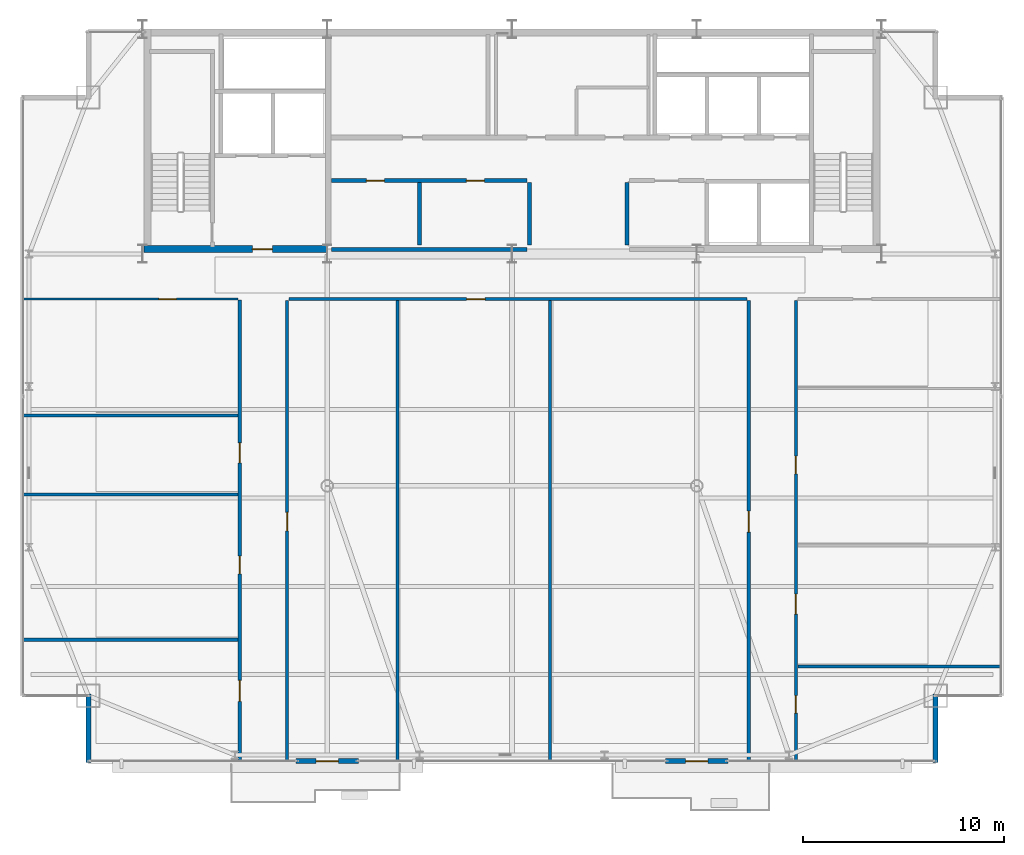
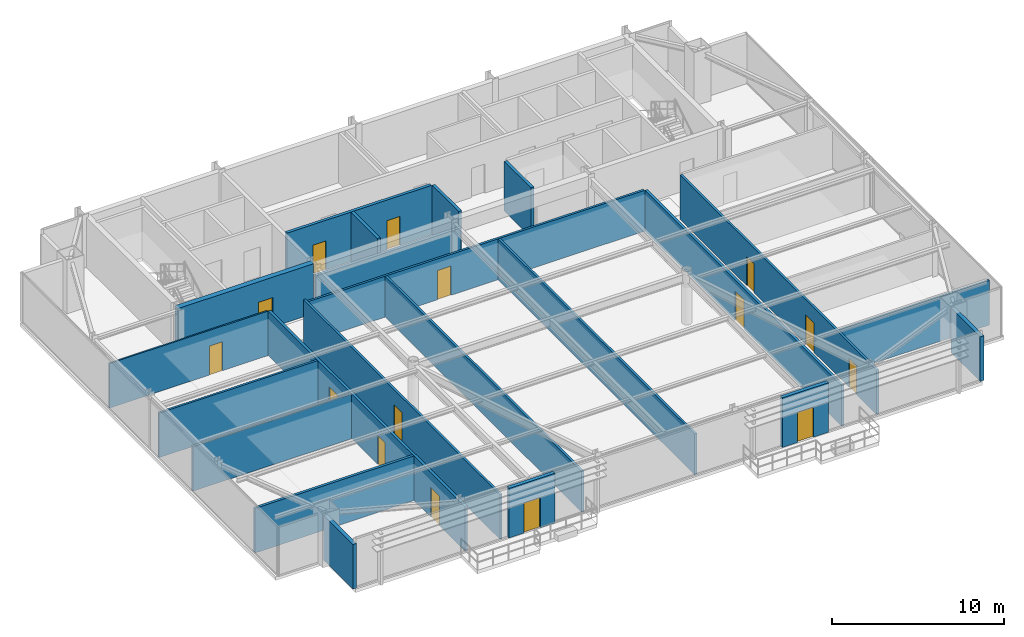
# One storey, part 26 of 30: 22 walls, 15 doors, 15 openings.
"""IFC4 building model written with IfcOpenShell, lengths in metres."""

from ifc_helpers import new_model, si_unit, direction, frame, frame_2d, origin, place, context, subcontext, project, spatial, rectangle, extrude, source, transform, mapped, material, layer, layer_set, type_object, type_shapes, element, fill, save


model = new_model("IFC4")

# Units and contexts
model_context = context("Model", 3, precision=1e-05, world=origin(), true_north=direction((0.0, 1.0)))
body_context = subcontext(model_context, "Body", "Model", "MODEL_VIEW")
ifc_project = project(units=[si_unit("LENGTHUNIT", "METRE"), si_unit("AREAUNIT", "SQUARE_METRE"), si_unit("VOLUMEUNIT", "CUBIC_METRE"), si_unit("PLANEANGLEUNIT", "RADIAN"), si_unit("MASSUNIT", "GRAM", prefix="KILO")], contexts=[model_context])

# Site, building, storey
site_placement = place(None, origin())
site = spatial("IfcSite", under=ifc_project, at=site_placement, CompositionType="ELEMENT")
building_placement = place(site_placement, origin())
building = spatial("IfcBuilding", under=site, at=building_placement, Name="Varnel Quay Broadcast Tower", CompositionType="ELEMENT")
storey_placement = place(building_placement, frame((0.0, 0.0, 207.39990234375)))
storey = spatial("IfcBuildingStorey", under=building, at=storey_placement, Name="L51", CompositionType="ELEMENT", Elevation=207.39990234375)

# Wall, opening, door
ifc_material_1 = material(Name="Concrete CSA A23.3 C50/60", Category="concrete")
ifc_layer_1 = layer(ifc_material_1, 0.35009765625, Name="Concrete CSA A23.3 C50/60")
ifc_layer_set_1 = layer_set([ifc_layer_1], Name="Concrete CSA A23.3 C50/60")
wall_type_1 = type_object("IfcWallType", Name="Wall_CoreShearInt350", PredefinedType="SHEAR", material=ifc_layer_set_1)
wall_1_placement = place(storey_placement, frame((15.669921875, 35.844970703125, 0.0), z_axis=(0.0, 0.0, 1.0), x_axis=(1.0, 0.0, 0.0)))
wall_1 = element("IfcWall", 1, at=wall_1_placement, inside=storey, type_object=wall_type_1, Name="L51 South-West Core Shear Wall", PredefinedType="SHEAR", context=body_context, shape_type="SweptSolid", body=[
    extrude(rectangle(XDim=9.130126953125, YDim=0.35009765625, at=frame_2d((4.56494140625, 0.0))), origin(), (0.0, 0.0, 1.0), 3.550048828125),
])
opening_1_placement = place(wall_1_placement, frame((5.39990234375, 0.0, 0.0)))
opening_1 = element("IfcOpeningElement", 2, at=opening_1_placement, cuts=wall_1, Name="Opening D-L51-FFL", PredefinedType="OPENING", context=body_context, shape_type="SweptSolid", body=[
    extrude(rectangle(XDim=1.0, YDim=2.10009765625, at=frame_2d((0.5, 1.050048828125))), frame((0.0, 0.18505859375, 0.0), z_axis=(0.0, -1.0, 0.0), x_axis=(1.0, 0.0, 0.0)), (0.0, 0.0, 1.0), 0.3701171875),
])
ifc_material_2 = material(Name="Insulated Fire-Rated Hollow Steel Door", Category="steel")
door_type_1 = type_object("IfcDoorType", Name="Door_FireLobby1000", OperationType="NOTDEFINED", PredefinedType="DOOR", material=ifc_material_2)
shared_shape_1 = source(origin(), body_context, "Body", "SweptSolid", [
    extrude(rectangle(XDim=1.0, YDim=2.10009765625, at=frame_2d((0.5, 1.050048828125))), frame((0.0, 0.02490234375, 0.0), z_axis=(0.0, -1.0, 0.0), x_axis=(1.0, 0.0, 0.0)), (0.0, 0.0, 1.0), 0.050048828125),
])
type_shapes(door_type_1, [shared_shape_1])
door_1_placement = place(opening_1_placement, origin())
door_1 = element("IfcDoor", 3, at=door_1_placement, inside=storey, type_object=door_type_1, Name="L51 Firefighting Lobby Door", OperationType="SINGLE_SWING_LEFT", OverallHeight=2.10009765625, OverallWidth=1.0, PredefinedType="DOOR", context=body_context, shape_type="MappedRepresentation", body=[
    mapped(shared_shape_1, transform((0.0, 0.0, 0.0), x_axis=(1.0, 0.0, 0.0), y_axis=(0.0, 1.0, 0.0), z_axis=(0.0, 0.0, 1.0), scale=1.0)),
])
fill(opening_1, door_1)

ifc_material_3 = material(Name="Precast Architectural Concrete C40/50", Category="concrete")
ifc_layer_2 = layer(ifc_material_3, 0.25, Name="Precast Architectural Concrete C40/50")
ifc_layer_set_2 = layer_set([ifc_layer_2], Name="Precast Architectural Concrete C40/50")
wall_type_2 = type_object("IfcWallType", Name="Wall_ExtTerrace250", PredefinedType="SOLIDWALL", material=ifc_layer_set_2)
wall_2_placement = place(storey_placement, frame((23.25, 10.35009765625, 0.0), z_axis=(0.0, 0.0, 1.0), x_axis=(1.0, 0.0, 0.0)))
wall_2 = element("IfcWall", 4, at=wall_2_placement, inside=storey, type_object=wall_type_2, Name="L51 Terrace Access Wall 1", PredefinedType="SOLIDWALL", context=body_context, shape_type="SweptSolid", body=[
    extrude(rectangle(XDim=3.10009765625, YDim=0.25, at=frame_2d((1.550048828125, 0.0))), origin(), (0.0, 0.0, 1.0), 3.530029296875),
])
opening_2_placement = place(wall_2_placement, frame((1.0, 0.0, 0.0)))
opening_2 = element("IfcOpeningElement", 5, at=opening_2_placement, cuts=wall_2, Name="Opening TD-511", PredefinedType="OPENING", context=body_context, shape_type="SweptSolid", body=[
    extrude(rectangle(XDim=1.10009765625, YDim=2.14990234375, at=frame_2d((0.550048828125, 1.074951171875))), frame((0.0, 0.135009765625, 0.0), z_axis=(0.0, -1.0, 0.0), x_axis=(1.0, 0.0, 0.0)), (0.0, 0.0, 1.0), 0.27001953125),
])
ifc_material_4 = material(Name="Anodised Bronze Aluminium 6063-T6", Category="aluminium")
door_type_2 = type_object("IfcDoorType", Name="Door_ExtTerrace1100", OperationType="NOTDEFINED", PredefinedType="DOOR", material=ifc_material_4)
shared_shape_2 = source(origin(), body_context, "Body", "SweptSolid", [
    extrude(rectangle(XDim=1.10009765625, YDim=2.14990234375, at=frame_2d((0.550048828125, 1.074951171875))), frame((0.0, 0.02490234375, 0.0), z_axis=(0.0, -1.0, 0.0), x_axis=(1.0, 0.0, 0.0)), (0.0, 0.0, 1.0), 0.050048828125),
])
type_shapes(door_type_2, [shared_shape_2])
door_2_placement = place(opening_2_placement, frame((1.10009765625, 0.0, 0.0), z_axis=(0.0, 0.0, 1.0), x_axis=(-1.0, 0.0, 0.0)))
door_2 = element("IfcDoor", 6, at=door_2_placement, inside=storey, type_object=door_type_2, Name="L51 Terrace Door TD-511", OperationType="SINGLE_SWING_LEFT", OverallHeight=2.14990234375, OverallWidth=1.10009765625, PredefinedType="DOOR", context=body_context, shape_type="MappedRepresentation", body=[
    mapped(shared_shape_2, transform((0.0, 0.0, 0.0), x_axis=(1.0, 0.0, 0.0), y_axis=(0.0, 1.0, 0.0), z_axis=(0.0, 0.0, 1.0), scale=1.0)),
])
fill(opening_2, door_2)

wall_3_placement = place(storey_placement, frame((41.64990234375, 10.35009765625, 0.0), z_axis=(0.0, 0.0, 1.0), x_axis=(1.0, 0.0, 0.0)))
wall_3 = element("IfcWall", 7, at=wall_3_placement, inside=storey, type_object=wall_type_2, Name="L51 Terrace Access Wall 2", PredefinedType="SOLIDWALL", context=body_context, shape_type="SweptSolid", body=[
    extrude(rectangle(XDim=3.10009765625, YDim=0.25, at=frame_2d((1.550048828125, 0.0))), origin(), (0.0, 0.0, 1.0), 3.530029296875),
])
opening_3_placement = place(wall_3_placement, frame((1.0, 0.0, 0.0)))
opening_3 = element("IfcOpeningElement", 8, at=opening_3_placement, cuts=wall_3, Name="Opening TD-512", PredefinedType="OPENING", context=body_context, shape_type="SweptSolid", body=[
    extrude(rectangle(XDim=1.10009765625, YDim=2.14990234375, at=frame_2d((0.550048828125, 1.074951171875))), frame((0.0, 0.135009765625, 0.0), z_axis=(0.0, -1.0, 0.0), x_axis=(1.0, 0.0, 0.0)), (0.0, 0.0, 1.0), 0.27001953125),
])
door_3_placement = place(opening_3_placement, frame((1.10009765625, 0.0, 0.0), z_axis=(0.0, 0.0, 1.0), x_axis=(-1.0, 0.0, 0.0)))
door_3 = element("IfcDoor", 9, at=door_3_placement, inside=storey, type_object=door_type_2, Name="L51 Terrace Door TD-512", OperationType="SINGLE_SWING_RIGHT", OverallHeight=2.14990234375, OverallWidth=1.10009765625, PredefinedType="DOOR", context=body_context, shape_type="MappedRepresentation", body=[
    mapped(shared_shape_2, transform((0.0, 0.0, 0.0), x_axis=(1.0, 0.0, 0.0), y_axis=(0.0, 1.0, 0.0), z_axis=(0.0, 0.0, 1.0), scale=1.0)),
])
fill(opening_3, door_3)

# Walls
for number, where, z_axis, x_axis, name in (
    (10, (12.89990234375, 10.280029296875, 0.0), (0.0, 0.0, 1.0), (0.0, 1.0, 0.0), "L51 Mega-Column Notch Cladding Wall NSW2"),
    (11, (55.10009765625, 10.280029296875, 0.0), (0.0, 0.0, 1.0), (0.0, 1.0, 0.0), "L51 Mega-Column Notch Cladding Wall NSE2"),
):
    element("IfcWall", number, at=place(storey_placement, frame(where, z_axis=z_axis, x_axis=x_axis)), inside=storey, type_object=wall_type_2, Name=name, PredefinedType="SOLIDWALL", context=body_context, shape_type="SweptSolid", body=[
        extrude(rectangle(XDim=3.39990234375, YDim=0.25, at=frame_2d((1.699951171875, 0.0))), origin(), (0.0, 0.0, 1.0), 3.171142578125),
    ])
ifc_material_5 = material(Name="Concrete Blockwork Fire Enclosure C40/50", Category="masonry")
ifc_layer_3 = layer(ifc_material_5, 0.199951171875, Name="Concrete Blockwork Fire Enclosure C40/50")
ifc_layer_set_3 = layer_set([ifc_layer_3], Name="Concrete Blockwork Fire Enclosure C40/50")
wall_type_3 = type_object("IfcWallType", Name="Wall_FireShaft200", PredefinedType="SOLIDWALL", material=ifc_layer_set_3)
wall_4_placement = place(storey_placement, frame((39.72509765625, 36.050048828125, 0.0), z_axis=(0.0, 0.0, 1.0), x_axis=(0.0, 1.0, 0.0)))
element("IfcWall", 12, at=wall_4_placement, inside=storey, type_object=wall_type_3, Name="L51 Electrical Sub-Distribution Closet Partition 7", PredefinedType="SOLIDWALL", context=body_context, shape_type="SweptSolid", body=[
    extrude(rectangle(XDim=3.099853515625, YDim=0.199951171875, at=frame_2d((1.5498046875, 0.0))), origin(), (0.0, 0.0, 1.0), 3.530029296875),
])

# Wall, opening, door
ifc_material_6 = material(Name="Steel-Stud Fire-Rated Acoustic Gypsum Partition Assembly", Category="steel")
ifc_layer_4 = layer(ifc_material_6, 0.10498046875, Name="Steel-Stud Fire-Rated Acoustic Gypsum Partition Assembly")
ifc_layer_set_4 = layer_set([ifc_layer_4], Name="Steel-Stud Fire-Rated Acoustic Gypsum Partition Assembly")
wall_type_4 = type_object("IfcWallType", Name="Wall_Partition105", PredefinedType="PARTITIONING", material=ifc_layer_set_4)
wall_5_placement = place(storey_placement, frame((9.679931640625, 33.35009765625, 0.0), z_axis=(0.0, 0.0, 1.0), x_axis=(1.0, 0.0, 0.0)))
wall_5 = element("IfcWall", 13, at=wall_5_placement, inside=storey, type_object=wall_type_4, Name="L51 Camera Locker Store 4 Partition 12", PredefinedType="PARTITIONING", context=body_context, shape_type="SweptSolid", body=[
    extrude(rectangle(XDim=10.670166015625, YDim=0.10498046875, at=frame_2d((5.3349609375, 0.0))), origin(), (0.0, 0.0, 1.0), 3.171142578125),
])
opening_4_placement = place(wall_5_placement, frame((6.72998046875, 0.0, 0.0)))
opening_4 = element("IfcOpeningElement", 14, at=opening_4_placement, cuts=wall_5, Name="Opening D-L51-07", PredefinedType="OPENING", context=body_context, shape_type="SweptSolid", body=[
    extrude(rectangle(XDim=0.8798828125, YDim=2.06005859375, at=frame_2d((0.43994140625, 1.030029296875))), frame((0.0, 0.0625, 0.0), z_axis=(0.0, -1.0, 0.0), x_axis=(1.0, 0.0, 0.0)), (0.0, 0.0, 1.0), 0.125),
])
ifc_material_7 = material(Name="Solid-Core Fire-Rated Acoustic Oak Veneer Door", Category="wood")
door_type_3 = type_object("IfcDoorType", Name="Door_Booth880", OperationType="NOTDEFINED", PredefinedType="DOOR", material=ifc_material_7)
shared_shape_3 = source(origin(), body_context, "Body", "SweptSolid", [
    extrude(rectangle(XDim=0.8798828125, YDim=2.06005859375, at=frame_2d((0.43994140625, 1.030029296875))), frame((0.0, 0.02490234375, 0.0), z_axis=(0.0, -1.0, 0.0), x_axis=(1.0, 0.0, 0.0)), (0.0, 0.0, 1.0), 0.050048828125),
])
type_shapes(door_type_3, [shared_shape_3])
door_4_placement = place(opening_4_placement, frame((0.8798828125, 0.0, 0.0), z_axis=(0.0, 0.0, 1.0), x_axis=(-1.0, 0.0, 0.0)))
door_4 = element("IfcDoor", 15, at=door_4_placement, inside=storey, type_object=door_type_3, Name="L51 Camera Locker Store 4 Door D-L51-07", OperationType="SINGLE_SWING_RIGHT", OverallHeight=2.06005859375, OverallWidth=0.8798828125, PredefinedType="DOOR", context=body_context, shape_type="MappedRepresentation", body=[
    mapped(shared_shape_3, transform((0.0, 0.0, 0.0), x_axis=(1.0, 0.0, 0.0), y_axis=(0.0, 1.0, 0.0), z_axis=(0.0, 0.0, 1.0), scale=1.0)),
])
fill(opening_4, door_4)

# Walls
ifc_layer_5 = layer(ifc_material_6, 0.139892578125, Name="Steel-Stud Fire-Rated Acoustic Gypsum Partition Assembly")
ifc_layer_set_5 = layer_set([ifc_layer_5], Name="Steel-Stud Fire-Rated Acoustic Gypsum Partition Assembly")
wall_type_5 = type_object("IfcWallType", Name="Wall_Partition140", PredefinedType="PARTITIONING", material=ifc_layer_set_5)
wall_6_placement = place(storey_placement, frame((9.679931640625, 27.56005859375, 0.0), z_axis=(0.0, 0.0, 1.0), x_axis=(1.0, 0.0, 0.0)))
element("IfcWall", 16, at=wall_6_placement, inside=storey, type_object=wall_type_5, Name="L51 Press Green Lounge 3 Partition 11", PredefinedType="PARTITIONING", context=body_context, shape_type="SweptSolid", body=[
    extrude(rectangle(XDim=10.670166015625, YDim=0.139892578125, at=frame_2d((5.3349609375, 0.0))), origin(), (0.0, 0.0, 1.0), 3.171142578125),
])
ifc_layer_6 = layer(ifc_material_6, 0.14990234375, Name="Steel-Stud Fire-Rated Acoustic Gypsum Partition Assembly")
ifc_layer_set_6 = layer_set([ifc_layer_6], Name="Steel-Stud Fire-Rated Acoustic Gypsum Partition Assembly")
wall_type_6 = type_object("IfcWallType", Name="Wall_Partition150", PredefinedType="PARTITIONING", material=ifc_layer_set_6)
wall_7_placement = place(storey_placement, frame((9.679931640625, 23.6298828125, 0.0), z_axis=(0.0, 0.0, 1.0), x_axis=(1.0, 0.0, 0.0)))
element("IfcWall", 17, at=wall_7_placement, inside=storey, type_object=wall_type_6, Name="L51 Break Kitchen 2 Partition 10", PredefinedType="PARTITIONING", context=body_context, shape_type="SweptSolid", body=[
    extrude(rectangle(XDim=10.670166015625, YDim=0.14990234375, at=frame_2d((5.3349609375, 0.0))), origin(), (0.0, 0.0, 1.0), 3.171142578125),
])
wall_8_placement = place(storey_placement, frame((28.300048828125, 10.3798828125, 0.0), z_axis=(0.0, 0.0, 1.0), x_axis=(0.0, 1.0, 0.0)))
element("IfcWall", 18, at=wall_8_placement, inside=storey, type_object=wall_type_6, Name="L51 Broadcast Newsroom 5 Partition 13", PredefinedType="PARTITIONING", context=body_context, shape_type="SweptSolid", body=[
    extrude(rectangle(XDim=22.89501953125, YDim=0.14990234375, at=frame_2d((11.447509765625, 0.0))), origin(), (0.0, 0.0, 1.0), 2.908203125),
])

# Wall, opening, door
wall_9_placement = place(storey_placement, frame((22.89990234375, 33.35009765625, 0.0), z_axis=(0.0, 0.0, 1.0), x_axis=(1.0, 0.0, 0.0)))
wall_9 = element("IfcWall", 19, at=wall_9_placement, inside=storey, type_object=wall_type_6, Name="L51 Broadcast Newsroom 5 Partition 14", PredefinedType="PARTITIONING", context=body_context, shape_type="SweptSolid", body=[
    extrude(rectangle(XDim=22.7900390625, YDim=0.14990234375, at=frame_2d((11.39501953125, 0.0))), origin(), (0.0, 0.0, 1.0), 2.908203125),
])
opening_5_placement = place(wall_9_placement, frame((8.840087890625, 0.0, 0.0)))
opening_5 = element("IfcOpeningElement", 20, at=opening_5_placement, cuts=wall_9, Name="Opening D-L51-09", PredefinedType="OPENING", context=body_context, shape_type="SweptSolid", body=[
    extrude(rectangle(XDim=0.919921875, YDim=2.080078125, at=frame_2d((0.4599609375, 1.0400390625))), frame((0.0, 0.0849609375, 0.0), z_axis=(0.0, -1.0, 0.0), x_axis=(1.0, 0.0, 0.0)), (0.0, 0.0, 1.0), 0.169921875),
])
door_type_4 = type_object("IfcDoorType", Name="Door_Office920", OperationType="NOTDEFINED", PredefinedType="DOOR", material=ifc_material_7)
shared_shape_4 = source(origin(), body_context, "Body", "SweptSolid", [
    extrude(rectangle(XDim=0.919921875, YDim=2.080078125, at=frame_2d((0.4599609375, 1.0400390625))), frame((0.0, 0.02490234375, 0.0), z_axis=(0.0, -1.0, 0.0), x_axis=(1.0, 0.0, 0.0)), (0.0, 0.0, 1.0), 0.050048828125),
])
type_shapes(door_type_4, [shared_shape_4])
door_5_placement = place(opening_5_placement, frame((0.919921875, 0.0, 0.0), z_axis=(0.0, 0.0, 1.0), x_axis=(-1.0, 0.0, 0.0)))
door_5 = element("IfcDoor", 21, at=door_5_placement, inside=storey, type_object=door_type_4, Name="L51 Assignment Desk 6 Door D-L51-09", OperationType="SINGLE_SWING_RIGHT", OverallHeight=2.080078125, OverallWidth=0.919921875, PredefinedType="DOOR", context=body_context, shape_type="MappedRepresentation", body=[
    mapped(shared_shape_4, transform((0.0, 0.0, 0.0), x_axis=(1.0, 0.0, 0.0), y_axis=(0.0, 1.0, 0.0), z_axis=(0.0, 0.0, 1.0), scale=1.0)),
])
fill(opening_5, door_5)

wall_10_placement = place(storey_placement, frame((22.800048828125, 10.3798828125, 0.0), z_axis=(0.0, 0.0, 1.0), x_axis=(0.0, 1.0, 0.0)))
wall_10 = element("IfcWall", 22, at=wall_10_placement, inside=storey, type_object=wall_type_6, Name="L51 Broadcast Newsroom 5 Partition 15", PredefinedType="PARTITIONING", context=body_context, shape_type="SweptSolid", body=[
    extrude(rectangle(XDim=22.89501953125, YDim=0.14990234375, at=frame_2d((11.447509765625, 0.0))), origin(), (0.0, 0.0, 1.0), 3.171142578125),
])
opening_6_placement = place(wall_10_placement, frame((11.429931640625, 0.0, 0.0)))
opening_6 = element("IfcOpeningElement", 23, at=opening_6_placement, cuts=wall_10, Name="Opening D-L51-08", PredefinedType="OPENING", context=body_context, shape_type="SweptSolid", body=[
    extrude(rectangle(XDim=0.919921875, YDim=2.080078125, at=frame_2d((0.4599609375, 1.0400390625))), frame((0.0, 0.0849609375, 0.0), z_axis=(0.0, -1.0, 0.0), x_axis=(1.0, 0.0, 0.0)), (0.0, 0.0, 1.0), 0.169921875),
])
door_6_placement = place(opening_6_placement, frame((0.919921875, 0.0, 0.0), z_axis=(0.0, 0.0, 1.0), x_axis=(-1.0, 0.0, 0.0)))
door_6 = element("IfcDoor", 24, at=door_6_placement, inside=storey, type_object=door_type_4, Name="L51 Broadcast Newsroom 5 Door D-L51-08", OperationType="SINGLE_SWING_LEFT", OverallHeight=2.080078125, OverallWidth=0.919921875, PredefinedType="DOOR", context=body_context, shape_type="MappedRepresentation", body=[
    mapped(shared_shape_4, transform((0.0, 0.0, 0.0), x_axis=(1.0, 0.0, 0.0), y_axis=(0.0, 1.0, 0.0), z_axis=(0.0, 0.0, 1.0), scale=1.0)),
])
fill(opening_6, door_6)

# Walls
wall_11_placement = place(storey_placement, frame((35.89990234375, 10.3798828125, 0.0), z_axis=(0.0, 0.0, 1.0), x_axis=(0.0, 1.0, 0.0)))
element("IfcWall", 25, at=wall_11_placement, inside=storey, type_object=wall_type_6, Name="L51 Assignment Desk 6 Partition 16", PredefinedType="PARTITIONING", context=body_context, shape_type="SweptSolid", body=[
    extrude(rectangle(XDim=22.89501953125, YDim=0.14990234375, at=frame_2d((11.447509765625, 0.0))), origin(), (0.0, 0.0, 1.0), 2.908203125),
])
wall_12_placement = place(storey_placement, frame((48.239990234375, 15.050048828125, 0.0), z_axis=(0.0, 0.0, 1.0), x_axis=(1.0, 0.0, 0.0)))
element("IfcWall", 26, at=wall_12_placement, inside=storey, type_object=wall_type_6, Name="L51 Break Kitchen 8 Partition 18", PredefinedType="PARTITIONING", context=body_context, shape_type="SweptSolid", body=[
    extrude(rectangle(XDim=10.080078125, YDim=0.14990234375, at=frame_2d((5.0400390625, 0.0))), origin(), (0.0, 0.0, 1.0), 3.171142578125),
])

# Wall, openings, doors
wall_13_placement = place(storey_placement, frame((48.139892578125, 10.3798828125, 0.0), z_axis=(0.0, 0.0, 1.0), x_axis=(0.0, 1.0, 0.0)))
wall_13 = element("IfcWall", 27, at=wall_13_placement, inside=storey, type_object=wall_type_6, Name="L51 Break Kitchen 8 Partition 19", PredefinedType="PARTITIONING", context=body_context, shape_type="SweptSolid", body=[
    extrude(rectangle(XDim=22.89501953125, YDim=0.14990234375, at=frame_2d((11.447509765625, 0.0))), origin(), (0.0, 0.0, 1.0), 3.171142578125),
])
opening_7_placement = place(wall_13_placement, frame((2.35009765625, 0.0, 0.0)))
opening_7 = element("IfcOpeningElement", 28, at=opening_7_placement, cuts=wall_13, Name="Opening D-L51-11", PredefinedType="OPENING", context=body_context, shape_type="SweptSolid", body=[
    extrude(rectangle(XDim=0.8798828125, YDim=2.06005859375, at=frame_2d((0.43994140625, 1.030029296875))), frame((0.0, 0.0849609375, 0.0), z_axis=(0.0, -1.0, 0.0), x_axis=(1.0, 0.0, 0.0)), (0.0, 0.0, 1.0), 0.169921875),
])
opening_8_placement = place(wall_13_placement, frame((7.284912109375, 0.0, 0.0)))
opening_8 = element("IfcOpeningElement", 29, at=opening_8_placement, cuts=wall_13, Name="Opening D-L51-12", PredefinedType="OPENING", context=body_context, shape_type="SweptSolid", body=[
    extrude(rectangle(XDim=1.0, YDim=2.10009765625, at=frame_2d((0.5, 1.050048828125))), frame((0.0, 0.0849609375, 0.0), z_axis=(0.0, -1.0, 0.0), x_axis=(1.0, 0.0, 0.0)), (0.0, 0.0, 1.0), 0.169921875),
])
opening_9_placement = place(wall_13_placement, frame((14.27001953125, 0.0, 0.0)))
opening_9 = element("IfcOpeningElement", 30, at=opening_9_placement, cuts=wall_13, Name="Opening D-L51-13", PredefinedType="OPENING", context=body_context, shape_type="SweptSolid", body=[
    extrude(rectangle(XDim=0.8798828125, YDim=2.06005859375, at=frame_2d((0.43994140625, 1.030029296875))), frame((0.0, 0.0849609375, 0.0), z_axis=(0.0, -1.0, 0.0), x_axis=(1.0, 0.0, 0.0)), (0.0, 0.0, 1.0), 0.169921875),
])
door_7_placement = place(opening_7_placement, frame((0.8798828125, 0.0, 0.0), z_axis=(0.0, 0.0, 1.0), x_axis=(-1.0, 0.0, 0.0)))
door_7 = element("IfcDoor", 31, at=door_7_placement, inside=storey, type_object=door_type_3, Name="L51 Break Kitchen 8 Door D-L51-11", OperationType="SINGLE_SWING_RIGHT", OverallHeight=2.06005859375, OverallWidth=0.8798828125, PredefinedType="DOOR", context=body_context, shape_type="MappedRepresentation", body=[
    mapped(shared_shape_3, transform((0.0, 0.0, 0.0), x_axis=(1.0, 0.0, 0.0), y_axis=(0.0, 1.0, 0.0), z_axis=(0.0, 0.0, 1.0), scale=1.0)),
])
fill(opening_7, door_7)
door_8_placement = place(opening_9_placement, frame((0.8798828125, 0.0, 0.0), z_axis=(0.0, 0.0, 1.0), x_axis=(-1.0, 0.0, 0.0)))
door_8 = element("IfcDoor", 32, at=door_8_placement, inside=storey, type_object=door_type_3, Name="L51 Camera Locker Store 10 Door D-L51-13", OperationType="SINGLE_SWING_RIGHT", OverallHeight=2.06005859375, OverallWidth=0.8798828125, PredefinedType="DOOR", context=body_context, shape_type="MappedRepresentation", body=[
    mapped(shared_shape_3, transform((0.0, 0.0, 0.0), x_axis=(1.0, 0.0, 0.0), y_axis=(0.0, 1.0, 0.0), z_axis=(0.0, 0.0, 1.0), scale=1.0)),
])
fill(opening_9, door_8)
door_type_5 = type_object("IfcDoorType", Name="Door_Exec1000", OperationType="NOTDEFINED", PredefinedType="DOOR", material=ifc_material_7)
shared_shape_5 = source(origin(), body_context, "Body", "SweptSolid", [
    extrude(rectangle(XDim=1.0, YDim=2.10009765625, at=frame_2d((0.5, 1.050048828125))), frame((0.0, 0.02490234375, 0.0), z_axis=(0.0, -1.0, 0.0), x_axis=(1.0, 0.0, 0.0)), (0.0, 0.0, 1.0), 0.050048828125),
])
type_shapes(door_type_5, [shared_shape_5])
door_9_placement = place(opening_8_placement, frame((1.0, 0.0, 0.0), z_axis=(0.0, 0.0, 1.0), x_axis=(-1.0, 0.0, 0.0)))
door_9 = element("IfcDoor", 33, at=door_9_placement, inside=storey, type_object=door_type_5, Name="L51 Press Green Lounge 9 Door D-L51-12", OperationType="SINGLE_SWING_LEFT", OverallHeight=2.10009765625, OverallWidth=1.0, PredefinedType="DOOR", context=body_context, shape_type="MappedRepresentation", body=[
    mapped(shared_shape_5, transform((0.0, 0.0, 0.0), x_axis=(1.0, 0.0, 0.0), y_axis=(0.0, 1.0, 0.0), z_axis=(0.0, 0.0, 1.0), scale=1.0)),
])
fill(opening_8, door_9)

ifc_layer_7 = layer(ifc_material_6, 0.175048828125, Name="Steel-Stud Fire-Rated Acoustic Gypsum Partition Assembly")
ifc_layer_set_7 = layer_set([ifc_layer_7], Name="Steel-Stud Fire-Rated Acoustic Gypsum Partition Assembly")
wall_type_7 = type_object("IfcWallType", Name="Wall_Partition175", PredefinedType="PARTITIONING", material=ifc_layer_set_7)
wall_14_placement = place(storey_placement, frame((20.449951171875, 10.3798828125, 0.0), z_axis=(0.0, 0.0, 1.0), x_axis=(0.0, 1.0, 0.0)))
wall_14 = element("IfcWall", 34, at=wall_14_placement, inside=storey, type_object=wall_type_7, Name="L51 Editorial Boardroom 1 Partition 8", PredefinedType="PARTITIONING", context=body_context, shape_type="SweptSolid", body=[
    extrude(rectangle(XDim=22.917236328125, YDim=0.175048828125, at=frame_2d((11.45849609375, 0.0))), origin(), (0.0, 0.0, 1.0), 3.171142578125),
])
opening_10_placement = place(wall_14_placement, frame((2.93505859375, 0.0, 0.0)))
opening_10 = element("IfcOpeningElement", 35, at=opening_10_placement, cuts=wall_14, Name="Opening D-L51-04", PredefinedType="OPENING", context=body_context, shape_type="SweptSolid", body=[
    extrude(rectangle(XDim=1.050048828125, YDim=2.10009765625, at=frame_2d((0.52490234375, 1.050048828125))), frame((0.0, 0.09765625, 0.0), z_axis=(0.0, -1.0, 0.0), x_axis=(1.0, 0.0, 0.0)), (0.0, 0.0, 1.0), 0.195068359375),
])
opening_11_placement = place(wall_14_placement, frame((9.2900390625, 0.0, 0.0)))
opening_11 = element("IfcOpeningElement", 36, at=opening_11_placement, cuts=wall_14, Name="Opening D-L51-05", PredefinedType="OPENING", context=body_context, shape_type="SweptSolid", body=[
    extrude(rectangle(XDim=0.8798828125, YDim=2.06005859375, at=frame_2d((0.43994140625, 1.030029296875))), frame((0.0, 0.09765625, 0.0), z_axis=(0.0, -1.0, 0.0), x_axis=(1.0, 0.0, 0.0)), (0.0, 0.0, 1.0), 0.195068359375),
])
opening_12_placement = place(wall_14_placement, frame((14.81494140625, 0.0, 0.0)))
opening_12 = element("IfcOpeningElement", 37, at=opening_12_placement, cuts=wall_14, Name="Opening D-L51-06", PredefinedType="OPENING", context=body_context, shape_type="SweptSolid", body=[
    extrude(rectangle(XDim=1.0, YDim=2.10009765625, at=frame_2d((0.5, 1.050048828125))), frame((0.0, 0.09765625, 0.0), z_axis=(0.0, -1.0, 0.0), x_axis=(1.0, 0.0, 0.0)), (0.0, 0.0, 1.0), 0.195068359375),
])
door_10_placement = place(opening_11_placement, origin())
door_10 = element("IfcDoor", 38, at=door_10_placement, inside=storey, type_object=door_type_3, Name="L51 Break Kitchen 2 Door D-L51-05", OperationType="SINGLE_SWING_RIGHT", OverallHeight=2.06005859375, OverallWidth=0.8798828125, PredefinedType="DOOR", context=body_context, shape_type="MappedRepresentation", body=[
    mapped(shared_shape_3, transform((0.0, 0.0, 0.0), x_axis=(1.0, 0.0, 0.0), y_axis=(0.0, 1.0, 0.0), z_axis=(0.0, 0.0, 1.0), scale=1.0)),
])
fill(opening_11, door_10)
door_11_placement = place(opening_12_placement, origin())
door_11 = element("IfcDoor", 39, at=door_11_placement, inside=storey, type_object=door_type_5, Name="L51 Press Green Lounge 3 Door D-L51-06", OperationType="SINGLE_SWING_LEFT", OverallHeight=2.10009765625, OverallWidth=1.0, PredefinedType="DOOR", context=body_context, shape_type="MappedRepresentation", body=[
    mapped(shared_shape_5, transform((0.0, 0.0, 0.0), x_axis=(1.0, 0.0, 0.0), y_axis=(0.0, 1.0, 0.0), z_axis=(0.0, 0.0, 1.0), scale=1.0)),
])
fill(opening_12, door_11)
door_type_6 = type_object("IfcDoorType", Name="Door_Meeting1050", OperationType="NOTDEFINED", PredefinedType="DOOR", material=ifc_material_7)
shared_shape_6 = source(origin(), body_context, "Body", "SweptSolid", [
    extrude(rectangle(XDim=1.050048828125, YDim=2.10009765625, at=frame_2d((0.52490234375, 1.050048828125))), frame((0.0, 0.02490234375, 0.0), z_axis=(0.0, -1.0, 0.0), x_axis=(1.0, 0.0, 0.0)), (0.0, 0.0, 1.0), 0.050048828125),
])
type_shapes(door_type_6, [shared_shape_6])
door_12_placement = place(opening_10_placement, origin())
door_12 = element("IfcDoor", 40, at=door_12_placement, inside=storey, type_object=door_type_6, Name="L51 Editorial Boardroom 1 Door D-L51-04", OperationType="SINGLE_SWING_LEFT", OverallHeight=2.10009765625, OverallWidth=1.050048828125, PredefinedType="DOOR", context=body_context, shape_type="MappedRepresentation", body=[
    mapped(shared_shape_6, transform((0.0, 0.0, 0.0), x_axis=(1.0, 0.0, 0.0), y_axis=(0.0, 1.0, 0.0), z_axis=(0.0, 0.0, 1.0), scale=1.0)),
])
fill(opening_10, door_12)

# Wall
wall_15_placement = place(storey_placement, frame((9.679931640625, 16.389892578125, 0.0), z_axis=(0.0, 0.0, 1.0), x_axis=(1.0, 0.0, 0.0)))
element("IfcWall", 41, at=wall_15_placement, inside=storey, type_object=wall_type_7, Name="L51 Editorial Boardroom 1 Partition 9", PredefinedType="PARTITIONING", context=body_context, shape_type="SweptSolid", body=[
    extrude(rectangle(XDim=10.670166015625, YDim=0.175048828125, at=frame_2d((5.3349609375, 0.0))), origin(), (0.0, 0.0, 1.0), 3.171142578125),
])

# Wall, opening, door
wall_16_placement = place(storey_placement, frame((45.7900390625, 10.3798828125, 0.0), z_axis=(0.0, 0.0, 1.0), x_axis=(0.0, 1.0, 0.0)))
wall_16 = element("IfcWall", 42, at=wall_16_placement, inside=storey, type_object=wall_type_7, Name="L51 Editorial Boardroom 7 Partition 17", PredefinedType="PARTITIONING", context=body_context, shape_type="SweptSolid", body=[
    extrude(rectangle(XDim=22.89501953125, YDim=0.175048828125, at=frame_2d((11.447509765625, 0.0))), origin(), (0.0, 0.0, 1.0), 2.908203125),
])
opening_13_placement = place(wall_16_placement, frame((11.364990234375, 0.0, 0.0)))
opening_13 = element("IfcOpeningElement", 43, at=opening_13_placement, cuts=wall_16, Name="Opening D-L51-10", PredefinedType="OPENING", context=body_context, shape_type="SweptSolid", body=[
    extrude(rectangle(XDim=1.050048828125, YDim=2.10009765625, at=frame_2d((0.52490234375, 1.050048828125))), frame((0.0, 0.09765625, 0.0), z_axis=(0.0, -1.0, 0.0), x_axis=(1.0, 0.0, 0.0)), (0.0, 0.0, 1.0), 0.195068359375),
])
door_13_placement = place(opening_13_placement, origin())
door_13 = element("IfcDoor", 44, at=door_13_placement, inside=storey, type_object=door_type_6, Name="L51 Editorial Boardroom 7 Door D-L51-10", OperationType="SINGLE_SWING_LEFT", OverallHeight=2.10009765625, OverallWidth=1.050048828125, PredefinedType="DOOR", context=body_context, shape_type="MappedRepresentation", body=[
    mapped(shared_shape_6, transform((0.0, 0.0, 0.0), x_axis=(1.0, 0.0, 0.0), y_axis=(0.0, 1.0, 0.0), z_axis=(0.0, 0.0, 1.0), scale=1.0)),
])
fill(opening_13, door_13)

# Walls
ifc_material_8 = material(Name="Fire-Rated Moisture-Resistant Plumbing Chase Partition")
ifc_layer_8 = layer(ifc_material_8, 0.199951171875, Name="Fire-Rated Moisture-Resistant Plumbing Chase Partition")
ifc_layer_set_8 = layer_set([ifc_layer_8], Name="Fire-Rated Moisture-Resistant Plumbing Chase Partition")
wall_type_8 = type_object("IfcWallType", Name="Wall_Plumbing200", PredefinedType="PLUMBINGWALL", material=ifc_layer_set_8)
wall_17_placement = place(storey_placement, frame((25.0, 35.824951171875, 0.0), z_axis=(0.0, 0.0, 1.0), x_axis=(1.0, 0.0, 0.0)))
element("IfcWall", 45, at=wall_17_placement, inside=storey, type_object=wall_type_8, Name="L51 Accessible Washroom Partition 1", PredefinedType="PLUMBINGWALL", context=body_context, shape_type="SweptSolid", body=[
    extrude(rectangle(XDim=9.75, YDim=0.199951171875, at=frame_2d((4.875, 0.0))), origin(), (0.0, 0.0, 1.0), 2.5751953125),
])
wall_18_placement = place(storey_placement, frame((29.39990234375, 36.050048828125, 0.0), z_axis=(0.0, 0.0, 1.0), x_axis=(0.0, 1.0, 0.0)))
element("IfcWall", 46, at=wall_18_placement, inside=storey, type_object=wall_type_8, Name="L51 Accessible Washroom Partition 2", PredefinedType="PLUMBINGWALL", context=body_context, shape_type="SweptSolid", body=[
    extrude(rectangle(XDim=3.099853515625, YDim=0.199951171875, at=frame_2d((1.5498046875, 0.0))), origin(), (0.0, 0.0, 1.0), 3.530029296875),
])

# Wall, openings, doors
wall_19_placement = place(storey_placement, frame((25.0, 39.25, 0.0), z_axis=(0.0, 0.0, 1.0), x_axis=(1.0, 0.0, 0.0)))
wall_19 = element("IfcWall", 47, at=wall_19_placement, inside=storey, type_object=wall_type_8, Name="L51 Accessible Washroom Partition 3", PredefinedType="PLUMBINGWALL", context=body_context, shape_type="SweptSolid", body=[
    extrude(rectangle(XDim=9.75, YDim=0.199951171875, at=frame_2d((4.875, 0.0))), origin(), (0.0, 0.0, 1.0), 3.530029296875),
])
opening_14_placement = place(wall_19_placement, frame((1.75, 0.0, 0.0)))
opening_14 = element("IfcOpeningElement", 48, at=opening_14_placement, cuts=wall_19, Name="Opening D-L51-01", PredefinedType="OPENING", context=body_context, shape_type="SweptSolid", body=[
    extrude(rectangle(XDim=0.89990234375, YDim=2.06005859375, at=frame_2d((0.449951171875, 1.030029296875))), frame((0.0, 0.10986328125, 0.0), z_axis=(0.0, -1.0, 0.0), x_axis=(1.0, 0.0, 0.0)), (0.0, 0.0, 1.0), 0.219970703125),
])
opening_15_placement = place(wall_19_placement, frame((6.72509765625, 0.0, 0.0)))
opening_15 = element("IfcOpeningElement", 49, at=opening_15_placement, cuts=wall_19, Name="Opening D-L51-02", PredefinedType="OPENING", context=body_context, shape_type="SweptSolid", body=[
    extrude(rectangle(XDim=0.89990234375, YDim=2.06005859375, at=frame_2d((0.449951171875, 1.030029296875))), frame((0.0, 0.10986328125, 0.0), z_axis=(0.0, -1.0, 0.0), x_axis=(1.0, 0.0, 0.0)), (0.0, 0.0, 1.0), 0.219970703125),
])
door_type_7 = type_object("IfcDoorType", Name="Door_Washroom900", OperationType="NOTDEFINED", PredefinedType="DOOR", material=ifc_material_7)
shared_shape_7 = source(origin(), body_context, "Body", "SweptSolid", [
    extrude(rectangle(XDim=0.89990234375, YDim=2.06005859375, at=frame_2d((0.449951171875, 1.030029296875))), frame((0.0, 0.02490234375, 0.0), z_axis=(0.0, -1.0, 0.0), x_axis=(1.0, 0.0, 0.0)), (0.0, 0.0, 1.0), 0.050048828125),
])
type_shapes(door_type_7, [shared_shape_7])
door_14_placement = place(opening_14_placement, frame((0.89990234375, 0.0, 0.0), z_axis=(0.0, 0.0, 1.0), x_axis=(-1.0, 0.0, 0.0)))
door_14 = element("IfcDoor", 50, at=door_14_placement, inside=storey, type_object=door_type_7, Name="L51 Accessible Washroom Door D-L51-01", OperationType="SINGLE_SWING_RIGHT", OverallHeight=2.06005859375, OverallWidth=0.89990234375, PredefinedType="DOOR", context=body_context, shape_type="MappedRepresentation", body=[
    mapped(shared_shape_7, transform((0.0, 0.0, 0.0), x_axis=(1.0, 0.0, 0.0), y_axis=(0.0, 1.0, 0.0), z_axis=(0.0, 0.0, 1.0), scale=1.0)),
])
fill(opening_14, door_14)
door_15_placement = place(opening_15_placement, frame((0.89990234375, 0.0, 0.0), z_axis=(0.0, 0.0, 1.0), x_axis=(-1.0, 0.0, 0.0)))
door_15 = element("IfcDoor", 51, at=door_15_placement, inside=storey, type_object=door_type_7, Name="L51 Staff Washrooms Door D-L51-02", OperationType="SINGLE_SWING_LEFT", OverallHeight=2.06005859375, OverallWidth=0.89990234375, PredefinedType="DOOR", context=body_context, shape_type="MappedRepresentation", body=[
    mapped(shared_shape_7, transform((0.0, 0.0, 0.0), x_axis=(1.0, 0.0, 0.0), y_axis=(0.0, 1.0, 0.0), z_axis=(0.0, 0.0, 1.0), scale=1.0)),
])
fill(opening_15, door_15)

# Wall
wall_20_placement = place(storey_placement, frame((34.875, 36.050048828125, 0.0), z_axis=(0.0, 0.0, 1.0), x_axis=(0.0, 1.0, 0.0)))
element("IfcWall", 52, at=wall_20_placement, inside=storey, type_object=wall_type_8, Name="L51 Staff Washrooms Partition 4", PredefinedType="PLUMBINGWALL", context=body_context, shape_type="SweptSolid", body=[
    extrude(rectangle(XDim=3.099853515625, YDim=0.199951171875, at=frame_2d((1.5498046875, 0.0))), origin(), (0.0, 0.0, 1.0), 3.530029296875),
])

save(model, "model.ifc")
